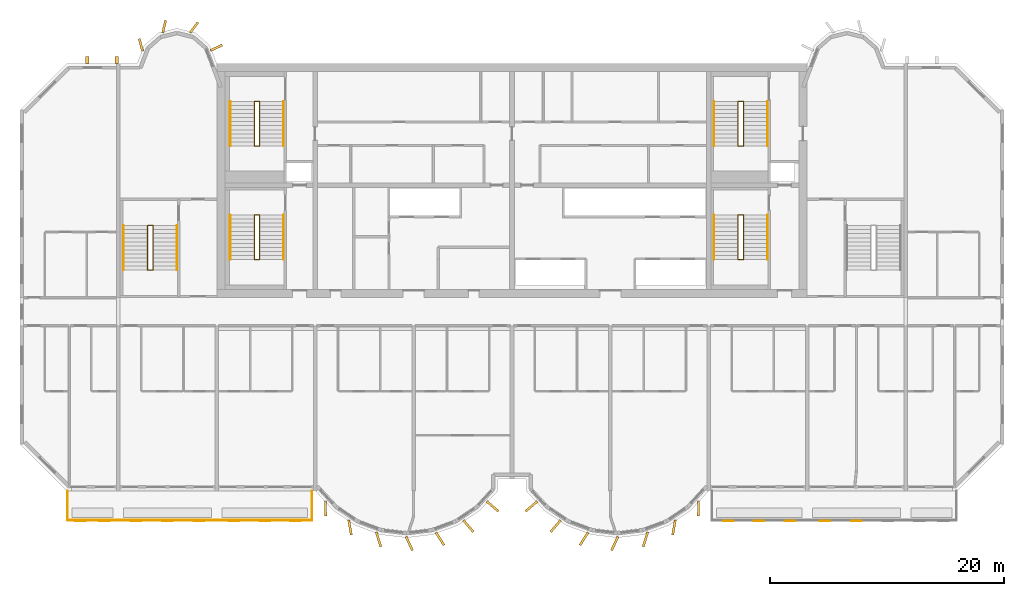
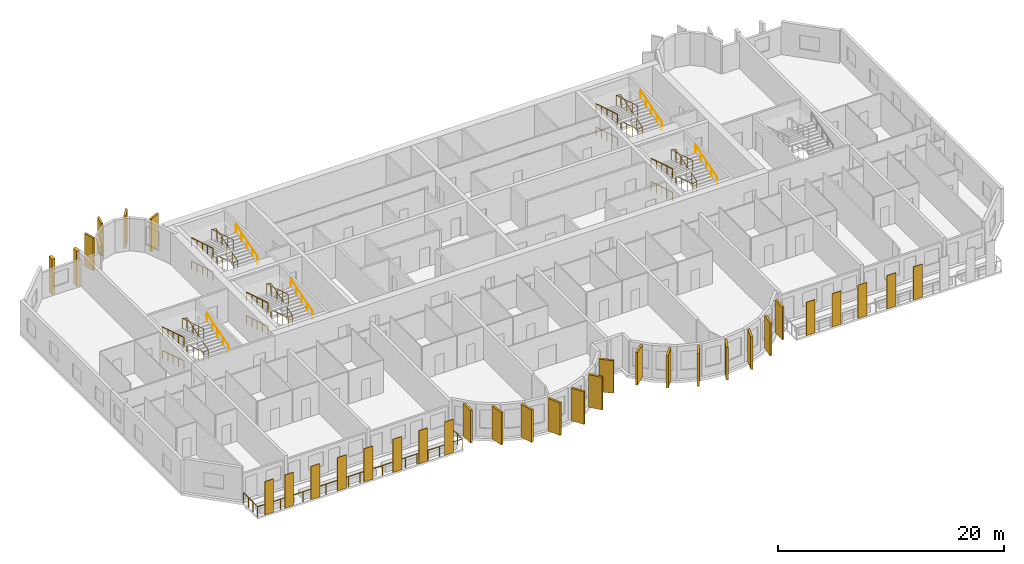
# One storey, part 11 of 13: 33 coverings, 21 railings.
"""IFC4 building model written with IfcOpenShell, lengths in metres."""

from ifc_helpers import new_model, si_unit, direction, frame, origin, origin_2d, place, context, subcontext, project, spatial, rectangle, circle, extrude, source, transform, mapped, material, layer, layer_set, material_profile, profile_set, type_object, element, save


model = new_model("IFC4")

# Units and contexts
model_context = context("Model", 3, precision=1e-05, world=origin(), true_north=direction((0.0, 1.0)))
body_context = subcontext(model_context, "Body", "Model", "MODEL_VIEW")
ifc_project = project(units=[si_unit("LENGTHUNIT", "METRE"), si_unit("AREAUNIT", "SQUARE_METRE"), si_unit("VOLUMEUNIT", "CUBIC_METRE"), si_unit("PLANEANGLEUNIT", "RADIAN"), si_unit("MASSUNIT", "GRAM", prefix="KILO")], contexts=[model_context])

# Site, building, storey
site_placement = place(None, origin())
site = spatial("IfcSite", under=ifc_project, at=site_placement, CompositionType="ELEMENT")
building_placement = place(site_placement, origin())
building = spatial("IfcBuilding", under=site, at=building_placement, Name="Vanashikhar Sky Hotel", CompositionType="ELEMENT")
storey_placement = place(building_placement, frame((0.0, 0.0, 189.60009765625)))
storey = spatial("IfcBuildingStorey", under=building, at=storey_placement, Name="L46", CompositionType="ELEMENT", Elevation=189.60009765625)

# Coverings
ifc_material_1 = material(Name="Terracotta", Category="masonry")
ifc_layer = layer(ifc_material_1, 0.06005859375)
ifc_layer_set = layer_set([ifc_layer], Name="Terracotta baguette screen")
covering_type_1 = type_object("IfcCoveringType", Name="Terracotta baguette screen", PredefinedType="CLADDING", material=ifc_layer_set)
shared_shape_1 = source(origin(), body_context, "Body", "SweptSolid", [
    extrude(rectangle(XDim=0.89990234375, YDim=0.06005859375, at=origin_2d()), origin(), (0.0, 0.0, 1.0), 3.60009765625),
])
for number, where, z_axis, x_axis, name in (
    (1, (13.574951171875, 2.929931640625, -0.050048828125), (0.0, 0.0, 1.0), (1.0, 0.0, 0.0), "Terracotta screen"),
    (2, (15.625, 2.929931640625, -0.050048828125), (0.0, 0.0, 1.0), (1.0, 0.0, 0.0), "Terracotta screen"),
    (3, (18.300048828125, 2.929931640625, -0.050048828125), (0.0, 0.0, 1.0), (1.0, 0.0, 0.0), "Terracotta screen"),
    (4, (21.0, 2.929931640625, -0.050048828125), (0.0, 0.0, 1.0), (1.0, 0.0, 0.0), "Terracotta screen"),
    (5, (23.699951171875, 2.929931640625, -0.050048828125), (0.0, 0.0, 1.0), (1.0, 0.0, 0.0), "Terracotta screen"),
    (6, (26.666748046875, 2.929931640625, -0.050048828125), (0.0, 0.0, 1.0), (1.0, 0.0, 0.0), "Terracotta screen"),
    (7, (29.300048828125, 2.929931640625, -0.050048828125), (0.0, 0.0, 1.0), (1.0, 0.0, 0.0), "Terracotta screen"),
    (8, (31.933349609375, 2.929931640625, -0.050048828125), (0.0, 0.0, 1.0), (1.0, 0.0, 0.0), "Terracotta screen"),
    (9, (68.86669921875, 2.929931640625, -0.050048828125), (0.0, 0.0, 1.0), (1.0, 0.0, 0.0), "Terracotta screen"),
    (10, (71.5, 2.929931640625, -0.050048828125), (0.0, 0.0, 1.0), (1.0, 0.0, 0.0), "Terracotta screen"),
    (11, (74.13330078125, 2.929931640625, -0.050048828125), (0.0, 0.0, 1.0), (1.0, 0.0, 0.0), "Terracotta screen"),
    (12, (77.10009765625, 2.929931640625, -0.050048828125), (0.0, 0.0, 1.0), (1.0, 0.0, 0.0), "Terracotta screen"),
    (13, (79.800048828125, 2.929931640625, -0.050048828125), (0.0, 0.0, 1.0), (1.0, 0.0, 0.0), "Terracotta screen"),
):
    element("IfcCovering", number, at=place(storey_placement, frame(where, z_axis=z_axis, x_axis=x_axis)), inside=storey, type_object=covering_type_1, Name=name, PredefinedType="CLADDING", context=body_context, shape_type="MappedRepresentation", body=[
        mapped(shared_shape_1, transform((0.0, 0.0, 0.0), scale=1.0)),
    ])
ifc_material_2 = material(Name="Concrete M60 dark", Category="concrete")
ifc_material_profile_1 = material_profile(ifc_material_2, rectangle(XDim=1.300048828125, YDim=0.199951171875, at=origin_2d()))
ifc_profile_set_1 = profile_set([ifc_material_profile_1], Name="Fin 1300 x 200")
covering_type_2 = type_object("IfcCoveringType", Name="Fin 1300 x 200", PredefinedType="CLADDING", material=ifc_profile_set_1)
shared_shape_2 = source(origin(), body_context, "Body", "SweptSolid", [
    extrude(rectangle(XDim=1.300048828125, YDim=0.199951171875, at=origin_2d()), origin(), (0.0, 0.0, 1.0), 3.52001953125),
])
for number, where, z_axis, x_axis, name in (
    (14, (34.482421875, 3.992919921875, 0.0), (0.0, 0.0, 1.0), (0.011588726826, -0.999932848451, 0.0), "Fin F1-1"),
    (15, (36.572509765625, 2.3779296875, 0.0), (0.0, 0.0, 1.0), (0.16989991575, -0.985461322746, 0.0), "Fin F1-2"),
    (16, (39.00830078125, 1.35693359375, 0.0), (0.0, 0.0, 1.0), (0.303966551867, -0.952682704444, 0.0), "Fin F1-3"),
    (17, (41.63232421875, 1.00146484375, 0.0), (0.0, 0.0, 1.0), (0.422618261741, -0.906307787037, 0.0), "Fin F1-4"),
    (18, (44.251953125, 1.416015625, 0.0), (0.0, 0.0, 1.0), (0.534411358496, -0.845224526331, 0.0), "Fin F1-5"),
    (19, (46.676025390625, 2.5, 0.0), (0.0, 0.0, 1.0), (0.645697609467, -0.763593214433, 0.0), "Fin F1-6"),
    (20, (48.7412109375, 4.1845703125, 0.0), (0.0, 0.0, 1.0), (0.758543912032, -0.65162192529, 0.0), "Fin F1-7"),
    (21, (52.058837890625, 4.1845703125, 0.0), (0.0, 0.0, 1.0), (-0.758543912032, -0.65162192529, 0.0), "Fin F2-1"),
    (22, (54.123779296875, 2.5, 0.0), (0.0, 0.0, 1.0), (-0.645697609467, -0.763593214433, 0.0), "Fin F2-2"),
    (23, (56.547119140625, 1.416015625, 0.0), (0.0, 0.0, 1.0), (-0.534411358496, -0.845224526331, 0.0), "Fin F2-3"),
    (24, (59.16748046875, 1.00146484375, 0.0), (0.0, 0.0, 1.0), (-0.422618261741, -0.906307787037, 0.0), "Fin F2-4"),
    (25, (61.790771484375, 1.35693359375, 0.0), (0.0, 0.0, 1.0), (-0.303966551867, -0.952682704444, 0.0), "Fin F2-5"),
    (26, (64.2275390625, 2.3779296875, 0.0), (0.0, 0.0, 1.0), (-0.16989991575, -0.985461322746, 0.0), "Fin F2-6"),
    (27, (66.317626953125, 3.992919921875, 0.0), (0.0, 0.0, 1.0), (-0.011588726826, -0.999932848451, 0.0), "Fin F2-7"),
):
    element("IfcCovering", number, at=place(storey_placement, frame(where, z_axis=z_axis, x_axis=x_axis)), inside=storey, type_object=covering_type_2, Name=name, PredefinedType="CLADDING", context=body_context, shape_type="MappedRepresentation", body=[
        mapped(shared_shape_2, transform((0.0, 0.0, 0.0), scale=1.0)),
    ])
ifc_material_profile_2 = material_profile(ifc_material_2, rectangle(XDim=1.10009765625, YDim=0.199951171875, at=origin_2d()))
ifc_profile_set_2 = profile_set([ifc_material_profile_2], Name="Rear lobe fin 1100 x 200")
covering_type_3 = type_object("IfcCoveringType", Name="Rear lobe fin 1100 x 200", PredefinedType="CLADDING", material=ifc_profile_set_2)
shared_shape_3 = source(origin(), body_context, "Body", "SweptSolid", [
    extrude(rectangle(XDim=1.10009765625, YDim=0.199951171875, at=origin_2d()), origin(), (0.0, 0.0, 1.0), 3.52001953125),
])
for number, where, z_axis, x_axis, name in (
    (28, (18.720703125, 43.580078125, 0.0), (0.0, 0.0, 1.0), (-0.262711264409, 0.964874495234, 0.0), "Fin R1-1"),
    (29, (20.710205078125, 45.1455078125, 0.0), (0.0, 0.0, 1.0), (0.224644935864, 0.974440687159, 0.0), "Fin R1-2"),
    (30, (23.261962890625, 45.06640625, 0.0), (0.0, 0.0, 1.0), (0.602065892195, 0.798446404874, 0.0), "Fin R1-3"),
    (31, (25.169677734375, 43.33447265625, 0.0), (0.0, 0.0, 1.0), (0.908004291068, 0.418960866193, 0.0), "Fin R1-4"),
):
    element("IfcCovering", number, at=place(storey_placement, frame(where, z_axis=z_axis, x_axis=x_axis)), inside=storey, type_object=covering_type_3, Name=name, PredefinedType="CLADDING", context=body_context, shape_type="MappedRepresentation", body=[
        mapped(shared_shape_3, transform((0.0, 0.0, 0.0), scale=1.0)),
    ])

# Railing
ifc_material_3 = material(Name="Stainless steel 316", Category="steel")
railing_type_1 = type_object("IfcRailingType", Name="Balcony guard 1100", PredefinedType="GUARDRAIL", material=ifc_material_3)
shared_shape_4 = source(origin(), body_context, "Body", "SweptSolid", [
    extrude(circle(Radius=0.02392578125, at=origin_2d()), frame((0.0, 0.0, 1.076171875), z_axis=(0.0, -1.0, 0.0), x_axis=(1.0, 0.0, 0.0)), (0.0, 0.0, 1.0), 2.5),
    extrude(circle(Radius=0.02392578125, at=origin_2d()), frame((0.0, -2.5, 1.076171875), z_axis=(1.0, 0.0, 0.0), x_axis=(0.0, 1.0, 0.0)), (0.0, 0.0, 1.0), 20.880126953125),
    extrude(circle(Radius=0.02392578125, at=origin_2d()), frame((20.880126953125, -2.5, 1.076171875), z_axis=(0.0, 1.0, 0.0), x_axis=(-1.0, 0.0, 0.0)), (0.0, 0.0, 1.0), 2.5),
    extrude(circle(Radius=0.02099609375, at=origin_2d()), origin(), (0.0, 0.0, 1.0), 1.052001953125),
    extrude(circle(Radius=0.02099609375, at=origin_2d()), frame((0.0, -0.833251953125, 0.0)), (0.0, 0.0, 1.0), 1.052001953125),
    extrude(circle(Radius=0.02099609375, at=origin_2d()), frame((0.0, -1.666748046875, 0.0)), (0.0, 0.0, 1.0), 1.052001953125),
    extrude(circle(Radius=0.02099609375, at=origin_2d()), frame((0.0, -2.5, 0.0)), (0.0, 0.0, 1.0), 1.052001953125),
    extrude(circle(Radius=0.02099609375, at=origin_2d()), frame((1.159912109375, -2.5, 0.0)), (0.0, 0.0, 1.0), 1.052001953125),
    extrude(circle(Radius=0.02099609375, at=origin_2d()), frame((2.320068359375, -2.5, 0.0)), (0.0, 0.0, 1.0), 1.052001953125),
    extrude(circle(Radius=0.02099609375, at=origin_2d()), frame((3.47998046875, -2.5, 0.0)), (0.0, 0.0, 1.0), 1.052001953125),
    extrude(circle(Radius=0.02099609375, at=origin_2d()), frame((4.64013671875, -2.5, 0.0)), (0.0, 0.0, 1.0), 1.052001953125),
    extrude(circle(Radius=0.02099609375, at=origin_2d()), frame((5.800048828125, -2.5, 0.0)), (0.0, 0.0, 1.0), 1.052001953125),
    extrude(circle(Radius=0.02099609375, at=origin_2d()), frame((6.9599609375, -2.5, 0.0)), (0.0, 0.0, 1.0), 1.052001953125),
    extrude(circle(Radius=0.02099609375, at=origin_2d()), frame((8.1201171875, -2.5, 0.0)), (0.0, 0.0, 1.0), 1.052001953125),
    extrude(circle(Radius=0.02099609375, at=origin_2d()), frame((9.280029296875, -2.5, 0.0)), (0.0, 0.0, 1.0), 1.052001953125),
    extrude(circle(Radius=0.02099609375, at=origin_2d()), frame((10.43994140625, -2.5, 0.0)), (0.0, 0.0, 1.0), 1.052001953125),
    extrude(circle(Radius=0.02099609375, at=origin_2d()), frame((11.60009765625, -2.5, 0.0)), (0.0, 0.0, 1.0), 1.052001953125),
    extrude(circle(Radius=0.02099609375, at=origin_2d()), frame((12.760009765625, -2.5, 0.0)), (0.0, 0.0, 1.0), 1.052001953125),
    extrude(circle(Radius=0.02099609375, at=origin_2d()), frame((13.920166015625, -2.5, 0.0)), (0.0, 0.0, 1.0), 1.052001953125),
    extrude(circle(Radius=0.02099609375, at=origin_2d()), frame((15.080078125, -2.5, 0.0)), (0.0, 0.0, 1.0), 1.052001953125),
    extrude(circle(Radius=0.02099609375, at=origin_2d()), frame((16.239990234375, -2.5, 0.0)), (0.0, 0.0, 1.0), 1.052001953125),
    extrude(circle(Radius=0.02099609375, at=origin_2d()), frame((17.400146484375, -2.5, 0.0)), (0.0, 0.0, 1.0), 1.052001953125),
    extrude(circle(Radius=0.02099609375, at=origin_2d()), frame((18.56005859375, -2.5, 0.0)), (0.0, 0.0, 1.0), 1.052001953125),
    extrude(circle(Radius=0.02099609375, at=origin_2d()), frame((19.72021484375, -2.5, 0.0)), (0.0, 0.0, 1.0), 1.052001953125),
    extrude(circle(Radius=0.02099609375, at=origin_2d()), frame((20.880126953125, -2.5, 0.0)), (0.0, 0.0, 1.0), 1.052001953125),
    extrude(circle(Radius=0.02099609375, at=origin_2d()), frame((20.880126953125, -1.666748046875, 0.0)), (0.0, 0.0, 1.0), 1.052001953125),
    extrude(circle(Radius=0.02099609375, at=origin_2d()), frame((20.880126953125, -0.833251953125, 0.0)), (0.0, 0.0, 1.0), 1.052001953125),
    extrude(circle(Radius=0.02099609375, at=origin_2d()), frame((20.880126953125, 0.0, 0.0)), (0.0, 0.0, 1.0), 1.052001953125),
])
railing_1_placement = place(storey_placement, frame((12.4599609375, 5.5, -0.050048828125)))
element("IfcRailing", 32, at=railing_1_placement, inside=storey, type_object=railing_type_1, Name="Balcony guard", PredefinedType="GUARDRAIL", context=body_context, shape_type="MappedRepresentation", body=[
    mapped(shared_shape_4, transform((0.0, 0.0, 0.0), scale=1.0)),
])

# Coverings
ifc_material_profile_3 = material_profile(ifc_material_2, rectangle(XDim=0.60009765625, YDim=0.300048828125, at=origin_2d()))
ifc_profile_set_3 = profile_set([ifc_material_profile_3], Name="Rear rib 600 x 300")
covering_type_4 = type_object("IfcCoveringType", Name="Rear rib 600 x 300", PredefinedType="CLADDING", material=ifc_profile_set_3)
shared_shape_5 = source(origin(), body_context, "Body", "SweptSolid", [
    extrude(rectangle(XDim=0.60009765625, YDim=0.300048828125, at=origin_2d()), origin(), (0.0, 0.0, 1.0), 3.800048828125),
])
for number, where, z_axis, x_axis, name in (
    (33, (14.14990234375, 42.300048828125, -0.280029296875), (0.0, 0.0, 1.0), (0.0, 1.0, 0.0), "Rear rib"),
    (34, (16.64990234375, 42.300048828125, -0.280029296875), (0.0, 0.0, 1.0), (0.0, 1.0, 0.0), "Rear rib"),
):
    element("IfcCovering", number, at=place(storey_placement, frame(where, z_axis=z_axis, x_axis=x_axis)), inside=storey, type_object=covering_type_4, Name=name, PredefinedType="CLADDING", context=body_context, shape_type="MappedRepresentation", body=[
        mapped(shared_shape_5, transform((0.0, 0.0, 0.0), scale=1.0)),
    ])

# Railings
ifc_material_4 = material(Name="Steel S355", Category="steel")
railing_type_2 = type_object("IfcRailingType", Name="Stair handrail 900", PredefinedType="HANDRAIL", material=ifc_material_4)
shared_shape_6 = source(origin(), body_context, "Body", "SweptSolid", [
    extrude(circle(Radius=0.02392578125, at=origin_2d()), frame((0.0, 0.0, 0.8759765625), z_axis=(0.0, 0.95635109408, 0.292220096591), x_axis=(-1.0, 0.0, 0.0)), (0.0, 0.0, 1.0), 3.973388671875),
    extrude(circle(Radius=0.02099609375, at=origin_2d()), origin(), (0.0, 0.0, 1.0), 0.851806640625),
    extrude(circle(Radius=0.02099609375, at=origin_2d()), frame((0.0, 0.949951171875, 0.290283203125)), (0.0, 0.0, 1.0), 0.851806640625),
    extrude(circle(Radius=0.02099609375, at=origin_2d()), frame((0.0, 1.89990234375, 0.58056640625)), (0.0, 0.0, 1.0), 0.851806640625),
    extrude(circle(Radius=0.02099609375, at=origin_2d()), frame((0.0, 2.85009765625, 0.870849609375)), (0.0, 0.0, 1.0), 0.851806640625),
    extrude(circle(Radius=0.02099609375, at=origin_2d()), frame((0.0, 3.800048828125, 1.1611328125)), (0.0, 0.0, 1.0), 0.851806640625),
])
for number, where, name in (
    (35, (30.89990234375, 25.25, 1.3720703125), "Exit stair 1 handrail"),
    (36, (72.199951171875, 25.25, 1.3720703125), "Exit stair 2 handrail"),
    (37, (30.89990234375, 34.949951171875, 1.3720703125), "Exit stair 5 handrail"),
    (38, (72.199951171875, 34.949951171875, 1.3720703125), "Exit stair 6 handrail"),
):
    element("IfcRailing", number, at=place(storey_placement, frame(where)), inside=storey, type_object=railing_type_2, Name=name, PredefinedType="HANDRAIL", context=body_context, shape_type="MappedRepresentation", body=[
        mapped(shared_shape_6, transform((0.0, 0.0, 0.0), scale=1.0)),
    ])
shared_shape_7 = source(origin(), body_context, "Body", "SweptSolid", [
    extrude(circle(Radius=0.02392578125, at=origin_2d()), frame((0.0, 0.0, 0.8759765625), z_axis=(0.0, -0.95635109408, 0.292220096591), x_axis=(1.0, 0.0, 0.0)), (0.0, 0.0, 1.0), 3.973388671875),
    extrude(circle(Radius=0.02099609375, at=origin_2d()), origin(), (0.0, 0.0, 1.0), 0.851806640625),
    extrude(circle(Radius=0.02099609375, at=origin_2d()), frame((0.0, -0.949951171875, 0.290283203125)), (0.0, 0.0, 1.0), 0.851806640625),
    extrude(circle(Radius=0.02099609375, at=origin_2d()), frame((0.0, -1.89990234375, 0.58056640625)), (0.0, 0.0, 1.0), 0.851806640625),
    extrude(circle(Radius=0.02099609375, at=origin_2d()), frame((0.0, -2.85009765625, 0.870849609375)), (0.0, 0.0, 1.0), 0.851806640625),
    extrude(circle(Radius=0.02099609375, at=origin_2d()), frame((0.0, -3.800048828125, 1.1611328125)), (0.0, 0.0, 1.0), 0.851806640625),
])
for number, where, name in (
    (39, (26.35009765625, 29.050048828125, 0.10546875), "Exit stair 1 handrail"),
    (40, (26.35009765625, 29.050048828125, 2.638671875), "Exit stair 1 handrail"),
    (41, (67.64990234375, 29.050048828125, 0.10546875), "Exit stair 2 handrail"),
    (42, (67.64990234375, 29.050048828125, 2.638671875), "Exit stair 2 handrail"),
    (43, (26.35009765625, 38.75, 0.10546875), "Exit stair 5 handrail"),
    (44, (26.35009765625, 38.75, 2.638671875), "Exit stair 5 handrail"),
    (45, (67.64990234375, 38.75, 0.10546875), "Exit stair 6 handrail"),
    (46, (67.64990234375, 38.75, 2.638671875), "Exit stair 6 handrail"),
):
    element("IfcRailing", number, at=place(storey_placement, frame(where)), inside=storey, type_object=railing_type_2, Name=name, PredefinedType="HANDRAIL", context=body_context, shape_type="MappedRepresentation", body=[
        mapped(shared_shape_7, transform((0.0, 0.0, 0.0), scale=1.0)),
    ])
railing_type_3 = type_object("IfcRailingType", Name="Stair guard 1100", PredefinedType="GUARDRAIL", material=ifc_material_4)
shared_shape_8 = source(origin(), body_context, "Body", "SweptSolid", [
    extrude(circle(Radius=0.02392578125, at=origin_2d()), frame((0.0, 0.0, 1.076171875), z_axis=(-0.973638301096, 0.0, 0.228097476179), x_axis=(0.0, -1.0, 0.0)), (0.0, 0.0, 1.0), 0.46240234375),
    extrude(circle(Radius=0.02392578125, at=origin_2d()), frame((-0.4501953125, 0.0, 1.181640625), z_axis=(0.0, -0.95635109408, 0.292220096591), x_axis=(1.0, 0.0, 0.0)), (0.0, 0.0, 1.0), 3.973388671875),
    extrude(circle(Radius=0.02392578125, at=origin_2d()), frame((-0.4501953125, -3.800048828125, 2.3427734375), z_axis=(0.973638301096, 0.0, 0.228097476179), x_axis=(0.0, 1.0, 0.0)), (0.0, 0.0, 1.0), 0.46240234375),
    extrude(circle(Radius=0.02392578125, at=origin_2d()), frame((0.0, -3.800048828125, 2.4482421875), z_axis=(0.0, 0.95635109408, 0.292220096591), x_axis=(-1.0, 0.0, 0.0)), (0.0, 0.0, 1.0), 3.973388671875),
    extrude(circle(Radius=0.02392578125, at=origin_2d()), frame((0.0, 0.0, 3.609375), z_axis=(-0.973638301096, 0.0, 0.228097476179), x_axis=(0.0, -1.0, 0.0)), (0.0, 0.0, 1.0), 0.46240234375),
    extrude(circle(Radius=0.02392578125, at=origin_2d()), frame((-0.4501953125, 0.0, 3.71484375), z_axis=(0.0, -0.95635109408, 0.292220096591), x_axis=(1.0, 0.0, 0.0)), (0.0, 0.0, 1.0), 3.973388671875),
    extrude(circle(Radius=0.02099609375, at=origin_2d()), origin(), (0.0, 0.0, 1.0), 1.052001953125),
    extrude(circle(Radius=0.02099609375, at=origin_2d()), frame((-0.4501953125, 0.0, 0.10546875)), (0.0, 0.0, 1.0), 1.052001953125),
    extrude(circle(Radius=0.02099609375, at=origin_2d()), frame((-0.4501953125, -0.949951171875, 0.395751953125)), (0.0, 0.0, 1.0), 1.052001953125),
    extrude(circle(Radius=0.02099609375, at=origin_2d()), frame((-0.4501953125, -1.89990234375, 0.68603515625)), (0.0, 0.0, 1.0), 1.052001953125),
    extrude(circle(Radius=0.02099609375, at=origin_2d()), frame((-0.4501953125, -2.85009765625, 0.976318359375)), (0.0, 0.0, 1.0), 1.052001953125),
    extrude(circle(Radius=0.02099609375, at=origin_2d()), frame((-0.4501953125, -3.800048828125, 1.2666015625)), (0.0, 0.0, 1.0), 1.052001953125),
    extrude(circle(Radius=0.02099609375, at=origin_2d()), frame((0.0, -3.800048828125, 1.3720703125)), (0.0, 0.0, 1.0), 1.052001953125),
    extrude(circle(Radius=0.02099609375, at=origin_2d()), frame((0.0, -2.85009765625, 1.662353515625)), (0.0, 0.0, 1.0), 1.052001953125),
    extrude(circle(Radius=0.02099609375, at=origin_2d()), frame((0.0, -1.89990234375, 1.95263671875)), (0.0, 0.0, 1.0), 1.052001953125),
    extrude(circle(Radius=0.02099609375, at=origin_2d()), frame((0.0, -0.949951171875, 2.242919921875)), (0.0, 0.0, 1.0), 1.052001953125),
    extrude(circle(Radius=0.02099609375, at=origin_2d()), frame((0.0, 0.0, 2.533203125)), (0.0, 0.0, 1.0), 1.052001953125),
    extrude(circle(Radius=0.02099609375, at=origin_2d()), frame((-0.4501953125, 0.0, 2.638671875)), (0.0, 0.0, 1.0), 1.052001953125),
    extrude(circle(Radius=0.02099609375, at=origin_2d()), frame((-0.4501953125, -0.949951171875, 2.928955078125)), (0.0, 0.0, 1.0), 1.052001953125),
    extrude(circle(Radius=0.02099609375, at=origin_2d()), frame((-0.4501953125, -1.89990234375, 3.21923828125)), (0.0, 0.0, 1.0), 1.052001953125),
    extrude(circle(Radius=0.02099609375, at=origin_2d()), frame((-0.4501953125, -2.85009765625, 3.509521484375)), (0.0, 0.0, 1.0), 1.052001953125),
    extrude(circle(Radius=0.02099609375, at=origin_2d()), frame((-0.4501953125, -3.800048828125, 3.7998046875)), (0.0, 0.0, 1.0), 1.052001953125),
])
for number, where, name in (
    (47, (28.85009765625, 29.050048828125, 0.0), "Exit stair 1 guard"),
    (48, (28.85009765625, 38.75, 0.0), "Exit stair 5 guard"),
):
    element("IfcRailing", number, at=place(storey_placement, frame(where)), inside=storey, type_object=railing_type_3, Name=name, PredefinedType="GUARDRAIL", context=body_context, shape_type="MappedRepresentation", body=[
        mapped(shared_shape_8, transform((0.0, 0.0, 0.0), scale=1.0)),
    ])
shared_shape_9 = source(origin(), body_context, "Body", "SweptSolid", [
    extrude(circle(Radius=0.02392578125, at=origin_2d()), frame((0.0, 0.0, 1.076171875), z_axis=(-0.973610808694, 0.0, 0.228214796178), x_axis=(0.0, -1.0, 0.0)), (0.0, 0.0, 1.0), 0.462158203125),
    extrude(circle(Radius=0.02392578125, at=origin_2d()), frame((-0.449951171875, 0.0, 1.181640625), z_axis=(0.0, -0.95635109408, 0.292220096591), x_axis=(1.0, 0.0, 0.0)), (0.0, 0.0, 1.0), 3.973388671875),
    extrude(circle(Radius=0.02392578125, at=origin_2d()), frame((-0.449951171875, -3.800048828125, 2.3427734375), z_axis=(0.973610808694, 0.0, 0.228214796178), x_axis=(0.0, 1.0, 0.0)), (0.0, 0.0, 1.0), 0.462158203125),
    extrude(circle(Radius=0.02392578125, at=origin_2d()), frame((0.0, -3.800048828125, 2.4482421875), z_axis=(0.0, 0.95635109408, 0.292220096591), x_axis=(-1.0, 0.0, 0.0)), (0.0, 0.0, 1.0), 3.973388671875),
    extrude(circle(Radius=0.02392578125, at=origin_2d()), frame((0.0, 0.0, 3.609375), z_axis=(-0.973610808694, 0.0, 0.228214796178), x_axis=(0.0, -1.0, 0.0)), (0.0, 0.0, 1.0), 0.462158203125),
    extrude(circle(Radius=0.02392578125, at=origin_2d()), frame((-0.449951171875, 0.0, 3.71484375), z_axis=(0.0, -0.95635109408, 0.292220096591), x_axis=(1.0, 0.0, 0.0)), (0.0, 0.0, 1.0), 3.973388671875),
    extrude(circle(Radius=0.02099609375, at=origin_2d()), origin(), (0.0, 0.0, 1.0), 1.052001953125),
    extrude(circle(Radius=0.02099609375, at=origin_2d()), frame((-0.449951171875, 0.0, 0.10546875)), (0.0, 0.0, 1.0), 1.052001953125),
    extrude(circle(Radius=0.02099609375, at=origin_2d()), frame((-0.449951171875, -0.949951171875, 0.395751953125)), (0.0, 0.0, 1.0), 1.052001953125),
    extrude(circle(Radius=0.02099609375, at=origin_2d()), frame((-0.449951171875, -1.89990234375, 0.68603515625)), (0.0, 0.0, 1.0), 1.052001953125),
    extrude(circle(Radius=0.02099609375, at=origin_2d()), frame((-0.449951171875, -2.85009765625, 0.976318359375)), (0.0, 0.0, 1.0), 1.052001953125),
    extrude(circle(Radius=0.02099609375, at=origin_2d()), frame((-0.449951171875, -3.800048828125, 1.2666015625)), (0.0, 0.0, 1.0), 1.052001953125),
    extrude(circle(Radius=0.02099609375, at=origin_2d()), frame((0.0, -3.800048828125, 1.3720703125)), (0.0, 0.0, 1.0), 1.052001953125),
    extrude(circle(Radius=0.02099609375, at=origin_2d()), frame((0.0, -2.85009765625, 1.662353515625)), (0.0, 0.0, 1.0), 1.052001953125),
    extrude(circle(Radius=0.02099609375, at=origin_2d()), frame((0.0, -1.89990234375, 1.95263671875)), (0.0, 0.0, 1.0), 1.052001953125),
    extrude(circle(Radius=0.02099609375, at=origin_2d()), frame((0.0, -0.949951171875, 2.242919921875)), (0.0, 0.0, 1.0), 1.052001953125),
    extrude(circle(Radius=0.02099609375, at=origin_2d()), frame((0.0, 0.0, 2.533203125)), (0.0, 0.0, 1.0), 1.052001953125),
    extrude(circle(Radius=0.02099609375, at=origin_2d()), frame((-0.449951171875, 0.0, 2.638671875)), (0.0, 0.0, 1.0), 1.052001953125),
    extrude(circle(Radius=0.02099609375, at=origin_2d()), frame((-0.449951171875, -0.949951171875, 2.928955078125)), (0.0, 0.0, 1.0), 1.052001953125),
    extrude(circle(Radius=0.02099609375, at=origin_2d()), frame((-0.449951171875, -1.89990234375, 3.21923828125)), (0.0, 0.0, 1.0), 1.052001953125),
    extrude(circle(Radius=0.02099609375, at=origin_2d()), frame((-0.449951171875, -2.85009765625, 3.509521484375)), (0.0, 0.0, 1.0), 1.052001953125),
    extrude(circle(Radius=0.02099609375, at=origin_2d()), frame((-0.449951171875, -3.800048828125, 3.7998046875)), (0.0, 0.0, 1.0), 1.052001953125),
])
for number, where, name in (
    (49, (70.14990234375, 29.050048828125, 0.0), "Exit stair 2 guard"),
    (50, (70.14990234375, 38.75, 0.0), "Exit stair 6 guard"),
):
    element("IfcRailing", number, at=place(storey_placement, frame(where)), inside=storey, type_object=railing_type_3, Name=name, PredefinedType="GUARDRAIL", context=body_context, shape_type="MappedRepresentation", body=[
        mapped(shared_shape_9, transform((0.0, 0.0, 0.0), scale=1.0)),
    ])
shared_shape_10 = source(origin(), body_context, "Body", "SweptSolid", [
    extrude(circle(Radius=0.02392578125, at=origin_2d()), frame((0.0, 0.0, 0.8759765625), z_axis=(0.0, 0.956345846891, 0.292237268557), x_axis=(-1.0, 0.0, 0.0)), (0.0, 0.0, 1.0), 3.97314453125),
    extrude(circle(Radius=0.02099609375, at=origin_2d()), origin(), (0.0, 0.0, 1.0), 0.851806640625),
    extrude(circle(Radius=0.02099609375, at=origin_2d()), frame((0.0, 0.949951171875, 0.290283203125)), (0.0, 0.0, 1.0), 0.851806640625),
    extrude(circle(Radius=0.02099609375, at=origin_2d()), frame((0.0, 1.89990234375, 0.58056640625)), (0.0, 0.0, 1.0), 0.851806640625),
    extrude(circle(Radius=0.02099609375, at=origin_2d()), frame((0.0, 2.849853515625, 0.870849609375)), (0.0, 0.0, 1.0), 0.851806640625),
    extrude(circle(Radius=0.02099609375, at=origin_2d()), frame((0.0, 3.7998046875, 1.1611328125)), (0.0, 0.0, 1.0), 0.851806640625),
])
railing_2_placement = place(storey_placement, frame((21.800048828125, 24.35009765625, 1.3720703125)))
element("IfcRailing", 51, at=railing_2_placement, inside=storey, type_object=railing_type_2, Name="Exit stair 3 handrail", PredefinedType="HANDRAIL", context=body_context, shape_type="MappedRepresentation", body=[
    mapped(shared_shape_10, transform((0.0, 0.0, 0.0), scale=1.0)),
])
shared_shape_11 = source(origin(), body_context, "Body", "SweptSolid", [
    extrude(circle(Radius=0.02392578125, at=origin_2d()), frame((0.0, 0.0, 0.8759765625), z_axis=(0.0, -0.956345846891, 0.292237268557), x_axis=(1.0, 0.0, 0.0)), (0.0, 0.0, 1.0), 3.97314453125),
    extrude(circle(Radius=0.02099609375, at=origin_2d()), origin(), (0.0, 0.0, 1.0), 0.851806640625),
    extrude(circle(Radius=0.02099609375, at=origin_2d()), frame((0.0, -0.949951171875, 0.290283203125)), (0.0, 0.0, 1.0), 0.851806640625),
    extrude(circle(Radius=0.02099609375, at=origin_2d()), frame((0.0, -1.89990234375, 0.58056640625)), (0.0, 0.0, 1.0), 0.851806640625),
    extrude(circle(Radius=0.02099609375, at=origin_2d()), frame((0.0, -2.849853515625, 0.870849609375)), (0.0, 0.0, 1.0), 0.851806640625),
    extrude(circle(Radius=0.02099609375, at=origin_2d()), frame((0.0, -3.7998046875, 1.1611328125)), (0.0, 0.0, 1.0), 0.851806640625),
])
for number, where, name in (
    (52, (17.25, 28.14990234375, 0.10546875), "Exit stair 3 handrail"),
    (53, (17.25, 28.14990234375, 2.638671875), "Exit stair 3 handrail"),
):
    element("IfcRailing", number, at=place(storey_placement, frame(where)), inside=storey, type_object=railing_type_2, Name=name, PredefinedType="HANDRAIL", context=body_context, shape_type="MappedRepresentation", body=[
        mapped(shared_shape_11, transform((0.0, 0.0, 0.0), scale=1.0)),
    ])
shared_shape_12 = source(origin(), body_context, "Body", "SweptSolid", [
    extrude(circle(Radius=0.02392578125, at=origin_2d()), frame((0.0, 0.0, 1.076171875), z_axis=(-0.973610808694, 0.0, 0.228214796178), x_axis=(0.0, -1.0, 0.0)), (0.0, 0.0, 1.0), 0.462158203125),
    extrude(circle(Radius=0.02392578125, at=origin_2d()), frame((-0.449951171875, 0.0, 1.181640625), z_axis=(0.0, -0.956345846891, 0.292237268557), x_axis=(1.0, 0.0, 0.0)), (0.0, 0.0, 1.0), 3.97314453125),
    extrude(circle(Radius=0.02392578125, at=origin_2d()), frame((-0.449951171875, -3.7998046875, 2.3427734375), z_axis=(0.973610808694, 0.0, 0.228214796178), x_axis=(0.0, 1.0, 0.0)), (0.0, 0.0, 1.0), 0.462158203125),
    extrude(circle(Radius=0.02392578125, at=origin_2d()), frame((0.0, -3.7998046875, 2.4482421875), z_axis=(0.0, 0.956345846891, 0.292237268557), x_axis=(-1.0, 0.0, 0.0)), (0.0, 0.0, 1.0), 3.97314453125),
    extrude(circle(Radius=0.02392578125, at=origin_2d()), frame((0.0, 0.0, 3.609375), z_axis=(-0.973610808694, 0.0, 0.228214796178), x_axis=(0.0, -1.0, 0.0)), (0.0, 0.0, 1.0), 0.462158203125),
    extrude(circle(Radius=0.02392578125, at=origin_2d()), frame((-0.449951171875, 0.0, 3.71484375), z_axis=(0.0, -0.956345846891, 0.292237268557), x_axis=(1.0, 0.0, 0.0)), (0.0, 0.0, 1.0), 3.97314453125),
    extrude(circle(Radius=0.02099609375, at=origin_2d()), origin(), (0.0, 0.0, 1.0), 1.052001953125),
    extrude(circle(Radius=0.02099609375, at=origin_2d()), frame((-0.449951171875, 0.0, 0.10546875)), (0.0, 0.0, 1.0), 1.052001953125),
    extrude(circle(Radius=0.02099609375, at=origin_2d()), frame((-0.449951171875, -0.949951171875, 0.395751953125)), (0.0, 0.0, 1.0), 1.052001953125),
    extrude(circle(Radius=0.02099609375, at=origin_2d()), frame((-0.449951171875, -1.89990234375, 0.68603515625)), (0.0, 0.0, 1.0), 1.052001953125),
    extrude(circle(Radius=0.02099609375, at=origin_2d()), frame((-0.449951171875, -2.849853515625, 0.976318359375)), (0.0, 0.0, 1.0), 1.052001953125),
    extrude(circle(Radius=0.02099609375, at=origin_2d()), frame((-0.449951171875, -3.7998046875, 1.2666015625)), (0.0, 0.0, 1.0), 1.052001953125),
    extrude(circle(Radius=0.02099609375, at=origin_2d()), frame((0.0, -3.7998046875, 1.3720703125)), (0.0, 0.0, 1.0), 1.052001953125),
    extrude(circle(Radius=0.02099609375, at=origin_2d()), frame((0.0, -2.849853515625, 1.662353515625)), (0.0, 0.0, 1.0), 1.052001953125),
    extrude(circle(Radius=0.02099609375, at=origin_2d()), frame((0.0, -1.89990234375, 1.95263671875)), (0.0, 0.0, 1.0), 1.052001953125),
    extrude(circle(Radius=0.02099609375, at=origin_2d()), frame((0.0, -0.949951171875, 2.242919921875)), (0.0, 0.0, 1.0), 1.052001953125),
    extrude(circle(Radius=0.02099609375, at=origin_2d()), frame((0.0, 0.0, 2.533203125)), (0.0, 0.0, 1.0), 1.052001953125),
    extrude(circle(Radius=0.02099609375, at=origin_2d()), frame((-0.449951171875, 0.0, 2.638671875)), (0.0, 0.0, 1.0), 1.052001953125),
    extrude(circle(Radius=0.02099609375, at=origin_2d()), frame((-0.449951171875, -0.949951171875, 2.928955078125)), (0.0, 0.0, 1.0), 1.052001953125),
    extrude(circle(Radius=0.02099609375, at=origin_2d()), frame((-0.449951171875, -1.89990234375, 3.21923828125)), (0.0, 0.0, 1.0), 1.052001953125),
    extrude(circle(Radius=0.02099609375, at=origin_2d()), frame((-0.449951171875, -2.849853515625, 3.509521484375)), (0.0, 0.0, 1.0), 1.052001953125),
    extrude(circle(Radius=0.02099609375, at=origin_2d()), frame((-0.449951171875, -3.7998046875, 3.7998046875)), (0.0, 0.0, 1.0), 1.052001953125),
])
railing_3_placement = place(storey_placement, frame((19.75, 28.14990234375, 0.0)))
element("IfcRailing", 54, at=railing_3_placement, inside=storey, type_object=railing_type_3, Name="Exit stair 3 guard", PredefinedType="GUARDRAIL", context=body_context, shape_type="MappedRepresentation", body=[
    mapped(shared_shape_12, transform((0.0, 0.0, 0.0), scale=1.0)),
])

save(model, "model.ifc")
